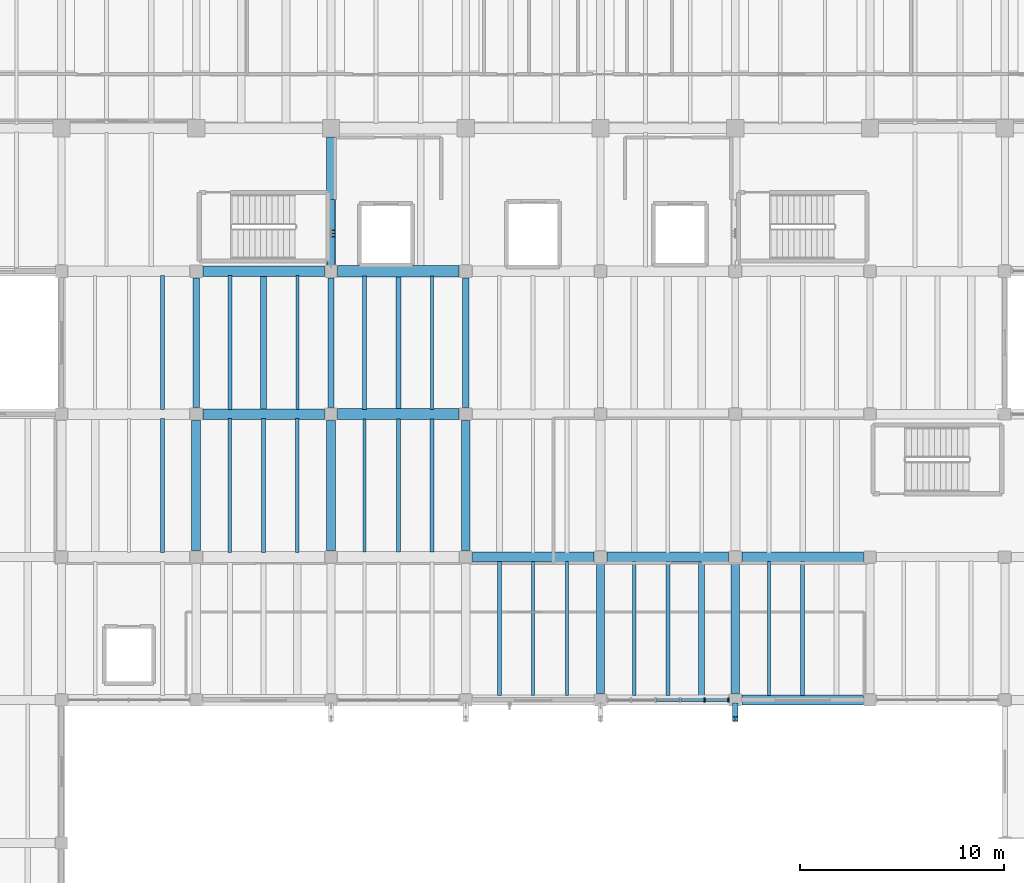
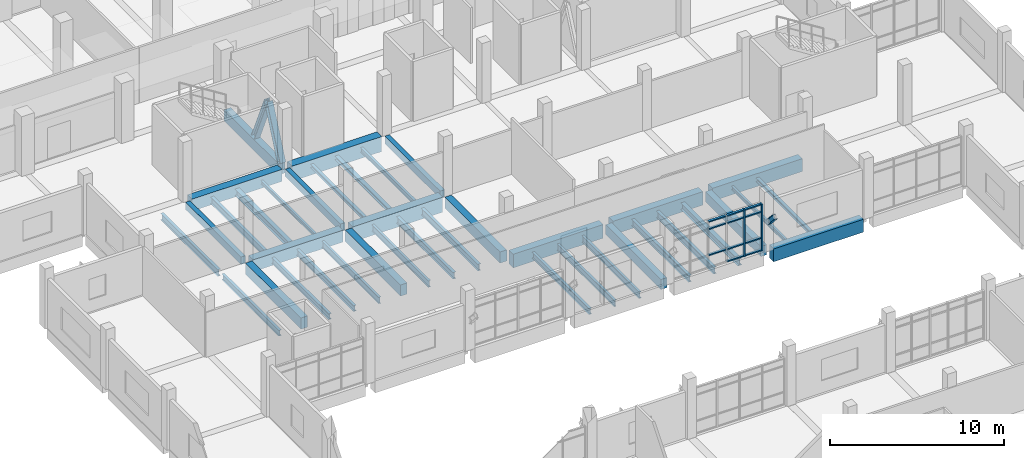
# One storey, part 25 of 68: 39 beams, 16 members, 1 element without a shape of its own.
"""IFC4 building model written with IfcOpenShell, lengths in metres."""

from ifc_helpers import new_model, si_unit, direction, frame, origin, origin_2d, place, context, subcontext, project, spatial, rectangle, i_section, extrude, material, material_profile, profile_set, type_object, element, aggregate, save


model = new_model("IFC4")

# Units and contexts
model_context = context("Model", 3, precision=1e-05, world=origin(), true_north=direction((0.0, 1.0)))
body_context = subcontext(model_context, "Body", "Model", "MODEL_VIEW")
ifc_project = project(units=[si_unit("LENGTHUNIT", "METRE"), si_unit("AREAUNIT", "SQUARE_METRE"), si_unit("VOLUMEUNIT", "CUBIC_METRE"), si_unit("PLANEANGLEUNIT", "RADIAN"), si_unit("MASSUNIT", "GRAM", prefix="KILO")], contexts=[model_context])

# Site, building, storey
site_placement = place(None, origin())
site = spatial("IfcSite", under=ifc_project, at=site_placement, CompositionType="ELEMENT")
building_placement = place(site_placement, origin())
building = spatial("IfcBuilding", under=site, at=building_placement, Name="Ciguamira Faculty of Natural Sciences", CompositionType="ELEMENT")
storey_placement = place(building_placement, frame((0.0, 0.0, 4.199951171875)))
storey = spatial("IfcBuildingStorey", under=building, at=storey_placement, Name="L01", CompositionType="ELEMENT", Elevation=4.199951171875)

# Curtain wall, members
ifc_material_1 = material(Name="Anodized aluminium curtain wall", Category="aluminium")
curtain_wall_type = type_object("IfcCurtainWallType", Name="CurtainWall_CW-06", PredefinedType="USERDEFINED", material=ifc_material_1)
curtain_wall_placement = place(storey_placement, origin())
curtain_wall = element("IfcCurtainWall", 1, at=curtain_wall_placement, inside=storey, type_object=curtain_wall_type, Name="L01 unitised curtain wall 0042", ObjectType="UNITISED CURTAIN WALL", PredefinedType="USERDEFINED")
ifc_material_2 = material(Name="Anodized aluminium mullion", Category="aluminium")
ifc_material_profile_1 = material_profile(ifc_material_2, rectangle(XDim=0.080078125, YDim=0.219970703125, at=origin_2d()), Name="ALU-MUL-80X220")
ifc_profile_set_1 = profile_set([ifc_material_profile_1], Name="Anodized aluminium mullion")
member_type_1 = type_object("IfcMemberType", Name="CWMullion_CWM-03", PredefinedType="MULLION", material=ifc_profile_set_1)
member_1_placement = place(storey_placement, frame((95.39990234375, 73.0, 0.0), z_axis=(0.0, 0.0, 1.0), x_axis=(1.0, 0.0, 0.0)))
member_1 = element("IfcMember", 2, at=member_1_placement, type_object=member_type_1, Name="CW-06 mullion 5", PredefinedType="MULLION", context=body_context, shape_type="SweptSolid", body=[
    extrude(rectangle(XDim=0.080078125, YDim=0.219970703125, at=origin_2d()), origin(), (0.0, 0.0, 1.0), 3.28515625),
])
member_2_placement = place(storey_placement, frame((96.56005859375, 73.0, 0.0), z_axis=(0.0, 0.0, 1.0), x_axis=(1.0, 0.0, 0.0)))
member_2 = element("IfcMember", 3, at=member_2_placement, type_object=member_type_1, Name="CW-06 mullion 6", PredefinedType="MULLION", context=body_context, shape_type="SweptSolid", body=[
    extrude(rectangle(XDim=0.080078125, YDim=0.219970703125, at=origin_2d()), origin(), (0.0, 0.0, 1.0), 3.28515625),
])
ifc_material_3 = material(Name="Anodized aluminium transom", Category="aluminium")
ifc_material_profile_2 = material_profile(ifc_material_3, rectangle(XDim=0.080078125, YDim=0.159912109375, at=origin_2d()), Name="ALU-TRN-80X160")
ifc_profile_set_2 = profile_set([ifc_material_profile_2], Name="Anodized aluminium transom")
member_type_2 = type_object("IfcMemberType", Name="CWTransom_CWT-03", PredefinedType="USERDEFINED", material=ifc_profile_set_2)
member_3_placement = place(storey_placement, frame((93.0400390625, 73.0, 0.900146484375), z_axis=(1.0, 0.0, 0.0), x_axis=(0.0, 0.0, 1.0)))
member_3 = element("IfcMember", 4, at=member_3_placement, type_object=member_type_2, Name="CW-06 transom 3.2", ObjectType="TRANSOM", PredefinedType="USERDEFINED", context=body_context, shape_type="SweptSolid", body=[
    extrude(rectangle(XDim=0.080078125, YDim=0.159912109375, at=origin_2d()), origin(), (0.0, 0.0, 1.0), 1.119873046875),
])
member_4_placement = place(storey_placement, frame((93.0400390625, 73.0, 2.735107421875), z_axis=(1.0, 0.0, 0.0), x_axis=(0.0, 0.0, 1.0)))
member_4 = element("IfcMember", 5, at=member_4_placement, type_object=member_type_2, Name="CW-06 transom 3.3", ObjectType="TRANSOM", PredefinedType="USERDEFINED", context=body_context, shape_type="SweptSolid", body=[
    extrude(rectangle(XDim=0.080078125, YDim=0.159912109375, at=origin_2d()), origin(), (0.0, 0.0, 1.0), 1.119873046875),
])
member_5_placement = place(storey_placement, frame((93.0400390625, 73.0, 3.2451171875), z_axis=(1.0, 0.0, 0.0), x_axis=(0.0, 0.0, 1.0)))
member_5 = element("IfcMember", 6, at=member_5_placement, type_object=member_type_2, Name="CW-06 transom 3.4", ObjectType="TRANSOM", PredefinedType="USERDEFINED", context=body_context, shape_type="SweptSolid", body=[
    extrude(rectangle(XDim=0.080078125, YDim=0.159912109375, at=origin_2d()), origin(), (0.0, 0.0, 1.0), 1.119873046875),
])
member_6_placement = place(storey_placement, frame((94.239990234375, 73.0, 0.0400390625), z_axis=(1.0, 0.0, 0.0), x_axis=(0.0, 0.0, 1.0)))
member_6 = element("IfcMember", 7, at=member_6_placement, type_object=member_type_2, Name="CW-06 transom 4.1", ObjectType="TRANSOM", PredefinedType="USERDEFINED", context=body_context, shape_type="SweptSolid", body=[
    extrude(rectangle(XDim=0.080078125, YDim=0.159912109375, at=origin_2d()), origin(), (0.0, 0.0, 1.0), 1.1201171875),
])
member_7_placement = place(storey_placement, frame((94.239990234375, 73.0, 0.900146484375), z_axis=(1.0, 0.0, 0.0), x_axis=(0.0, 0.0, 1.0)))
member_7 = element("IfcMember", 8, at=member_7_placement, type_object=member_type_2, Name="CW-06 transom 4.2", ObjectType="TRANSOM", PredefinedType="USERDEFINED", context=body_context, shape_type="SweptSolid", body=[
    extrude(rectangle(XDim=0.080078125, YDim=0.159912109375, at=origin_2d()), origin(), (0.0, 0.0, 1.0), 1.1201171875),
])
member_8_placement = place(storey_placement, frame((94.239990234375, 73.0, 2.735107421875), z_axis=(1.0, 0.0, 0.0), x_axis=(0.0, 0.0, 1.0)))
member_8 = element("IfcMember", 9, at=member_8_placement, type_object=member_type_2, Name="CW-06 transom 4.3", ObjectType="TRANSOM", PredefinedType="USERDEFINED", context=body_context, shape_type="SweptSolid", body=[
    extrude(rectangle(XDim=0.080078125, YDim=0.159912109375, at=origin_2d()), origin(), (0.0, 0.0, 1.0), 1.1201171875),
])
member_9_placement = place(storey_placement, frame((94.239990234375, 73.0, 3.2451171875), z_axis=(1.0, 0.0, 0.0), x_axis=(0.0, 0.0, 1.0)))
member_9 = element("IfcMember", 10, at=member_9_placement, type_object=member_type_2, Name="CW-06 transom 4.4", ObjectType="TRANSOM", PredefinedType="USERDEFINED", context=body_context, shape_type="SweptSolid", body=[
    extrude(rectangle(XDim=0.080078125, YDim=0.159912109375, at=origin_2d()), origin(), (0.0, 0.0, 1.0), 1.1201171875),
])
member_10_placement = place(storey_placement, frame((95.43994140625, 73.0, 0.0400390625), z_axis=(1.0, 0.0, 0.0), x_axis=(0.0, 0.0, 1.0)))
member_10 = element("IfcMember", 11, at=member_10_placement, type_object=member_type_2, Name="CW-06 transom 5.1", ObjectType="TRANSOM", PredefinedType="USERDEFINED", context=body_context, shape_type="SweptSolid", body=[
    extrude(rectangle(XDim=0.080078125, YDim=0.159912109375, at=origin_2d()), origin(), (0.0, 0.0, 1.0), 1.080078125),
])
member_11_placement = place(storey_placement, frame((95.43994140625, 73.0, 0.900146484375), z_axis=(1.0, 0.0, 0.0), x_axis=(0.0, 0.0, 1.0)))
member_11 = element("IfcMember", 12, at=member_11_placement, type_object=member_type_2, Name="CW-06 transom 5.2", ObjectType="TRANSOM", PredefinedType="USERDEFINED", context=body_context, shape_type="SweptSolid", body=[
    extrude(rectangle(XDim=0.080078125, YDim=0.159912109375, at=origin_2d()), origin(), (0.0, 0.0, 1.0), 1.080078125),
])
member_12_placement = place(storey_placement, frame((95.43994140625, 73.0, 2.735107421875), z_axis=(1.0, 0.0, 0.0), x_axis=(0.0, 0.0, 1.0)))
member_12 = element("IfcMember", 13, at=member_12_placement, type_object=member_type_2, Name="CW-06 transom 5.3", ObjectType="TRANSOM", PredefinedType="USERDEFINED", context=body_context, shape_type="SweptSolid", body=[
    extrude(rectangle(XDim=0.080078125, YDim=0.159912109375, at=origin_2d()), origin(), (0.0, 0.0, 1.0), 1.080078125),
])
member_13_placement = place(storey_placement, frame((95.43994140625, 73.0, 3.2451171875), z_axis=(1.0, 0.0, 0.0), x_axis=(0.0, 0.0, 1.0)))
member_13 = element("IfcMember", 14, at=member_13_placement, type_object=member_type_2, Name="CW-06 transom 5.4", ObjectType="TRANSOM", PredefinedType="USERDEFINED", context=body_context, shape_type="SweptSolid", body=[
    extrude(rectangle(XDim=0.080078125, YDim=0.159912109375, at=origin_2d()), origin(), (0.0, 0.0, 1.0), 1.080078125),
])
aggregate(curtain_wall, [member_1, member_2, member_3, member_4, member_5, member_6, member_7, member_8, member_9, member_10, member_11, member_12, member_13])

# Beams
ifc_material_4 = material(Name="Concrete C40/50", Category="concrete")
ifc_material_profile_3 = material_profile(ifc_material_4, rectangle(XDim=0.550048828125, YDim=1.050048828125, at=origin_2d()), Name="RC-BM-550X1050")
ifc_profile_set_3 = profile_set([ifc_material_profile_3], Name="Concrete C40/50")
beam_type_1 = type_object("IfcBeamType", Name="RCBeam_BG-01_RC-BM-550X1050", PredefinedType="BEAM", material=ifc_profile_set_3)
for number, where, z_axis, x_axis, name in (
    (15, (77.425048828125, 87.0, -0.52490234375), (1.0, 0.0, 0.0), (0.0, 1.0, 0.0), "L01 RC girder EW-0507"),
    (16, (77.425048828125, 94.0, -0.52490234375), (1.0, 0.0, 0.0), (0.0, 1.0, 0.0), "L01 RC girder EW-0516"),
):
    element("IfcBeam", number, at=place(storey_placement, frame(where, z_axis=z_axis, x_axis=x_axis)), inside=storey, type_object=beam_type_1, Name=name, PredefinedType="BEAM", context=body_context, shape_type="SweptSolid", body=[
        extrude(rectangle(XDim=0.550048828125, YDim=1.050048828125, at=origin_2d()), origin(), (0.0, 0.0, 1.0), 5.949951171875),
    ])
ifc_material_profile_4 = material_profile(ifc_material_4, rectangle(XDim=0.5, YDim=0.949951171875, at=origin_2d()), Name="RC-BM-500X950")
ifc_profile_set_4 = profile_set([ifc_material_profile_4], Name="Concrete C40/50")
beam_type_2 = type_object("IfcBeamType", Name="RCBeam_BG-02_RC-BM-500X950", PredefinedType="BEAM", material=ifc_profile_set_4)
beam_1_placement = place(storey_placement, frame((84.02490234375, 80.0, -0.474853515625), z_axis=(1.0, 0.0, 0.0), x_axis=(0.0, 1.0, 0.0)))
element("IfcBeam", 17, at=beam_1_placement, inside=storey, type_object=beam_type_2, Name="L01 RC girder EW-0499", PredefinedType="BEAM", context=body_context, shape_type="SweptSolid", body=[
    extrude(rectangle(XDim=0.5, YDim=0.949951171875, at=origin_2d()), origin(), (0.0, 0.0, 1.0), 5.9501953125),
])
beam_2_placement = place(storey_placement, frame((90.625, 80.0, -0.474853515625), z_axis=(1.0, 0.0, 0.0), x_axis=(0.0, 1.0, 0.0)))
element("IfcBeam", 18, at=beam_2_placement, inside=storey, type_object=beam_type_2, Name="L01 RC girder EW-0500", PredefinedType="BEAM", context=body_context, shape_type="SweptSolid", body=[
    extrude(rectangle(XDim=0.5, YDim=0.949951171875, at=origin_2d()), origin(), (0.0, 0.0, 1.0), 5.949951171875),
])
ifc_material_profile_5 = material_profile(ifc_material_4, rectangle(XDim=0.5, YDim=0.89990234375, at=origin_2d()), Name="RC-BM-500X900")
ifc_profile_set_5 = profile_set([ifc_material_profile_5], Name="Concrete C40/50")
beam_type_3 = type_object("IfcBeamType", Name="RCBeam_BG-03_RC-BM-500X900", PredefinedType="BEAM", material=ifc_profile_set_5)
for number, where, z_axis, x_axis, name in (
    (19, (97.22509765625, 73.0, -0.449951171875), (1.0, 0.0, 0.0), (0.0, 1.0, 0.0), "L01 RC girder EW-0492"),
    (20, (97.22509765625, 80.0, -0.449951171875), (1.0, 0.0, 0.0), (0.0, 1.0, 0.0), "L01 RC girder EW-0501"),
):
    element("IfcBeam", number, at=place(storey_placement, frame(where, z_axis=z_axis, x_axis=x_axis)), inside=storey, type_object=beam_type_3, Name=name, PredefinedType="BEAM", context=body_context, shape_type="SweptSolid", body=[
        extrude(rectangle(XDim=0.5, YDim=0.89990234375, at=origin_2d()), origin(), (0.0, 0.0, 1.0), 5.949951171875),
    ])
ifc_material_profile_6 = material_profile(ifc_material_4, rectangle(XDim=0.43994140625, YDim=0.780029296875, at=origin_2d()), Name="RC-BM-440X780")
ifc_profile_set_6 = profile_set([ifc_material_profile_6], Name="Concrete C40/50")
beam_type_4 = type_object("IfcBeamType", Name="RCBeam_BG-06_RC-BM-440X780", PredefinedType="BEAM", material=ifc_profile_set_6)
for number, where, z_axis, x_axis, name in (
    (21, (70.5, 80.324951171875, -0.389892578125), (0.0, 1.0, 0.0), (-1.0, 0.0, 0.0), "L01 girder NS-0603"),
    (22, (77.10009765625, 80.324951171875, -0.389892578125), (0.0, 1.0, 0.0), (-1.0, 0.0, 0.0), "L01 girder NS-0614"),
    (23, (83.699951171875, 80.324951171875, -0.389892578125), (0.0, 1.0, 0.0), (-1.0, 0.0, 0.0), "L01 girder NS-0625"),
):
    element("IfcBeam", number, at=place(storey_placement, frame(where, z_axis=z_axis, x_axis=x_axis)), inside=storey, type_object=beam_type_4, Name=name, PredefinedType="BEAM", context=body_context, shape_type="SweptSolid", body=[
        extrude(rectangle(XDim=0.43994140625, YDim=0.780029296875, at=origin_2d()), origin(), (0.0, 0.0, 1.0), 6.35009765625),
    ])
beam_3_placement = place(storey_placement, frame((77.10009765625, 94.324951171875, -0.389892578125), z_axis=(0.0, 1.0, 0.0), x_axis=(-1.0, 0.0, 0.0)))
element("IfcBeam", 24, at=beam_3_placement, inside=storey, type_object=beam_type_4, Name="L01 core-end brace tie girder 77", PredefinedType="BEAM", context=body_context, shape_type="SweptSolid", body=[
    extrude(rectangle(XDim=0.43994140625, YDim=0.780029296875, at=origin_2d()), origin(), (0.0, 0.0, 1.0), 6.25),
])
ifc_material_profile_7 = material_profile(ifc_material_4, rectangle(XDim=0.39990234375, YDim=0.699951171875, at=origin_2d()), Name="RC-BM-400X700")
ifc_profile_set_7 = profile_set([ifc_material_profile_7], Name="Concrete C40/50")
beam_type_5 = type_object("IfcBeamType", Name="RCBeam_BG-08_RC-BM-400X700", PredefinedType="BEAM", material=ifc_profile_set_7)
for number, where, z_axis, x_axis, name in (
    (25, (90.300048828125, 73.324951171875, -0.349853515625), (0.0, 1.0, 0.0), (-1.0, 0.0, 0.0), "L01 girder NS-0636"),
    (26, (96.89990234375, 73.324951171875, -0.349853515625), (0.0, 1.0, 0.0), (-1.0, 0.0, 0.0), "L01 girder NS-0648"),
):
    element("IfcBeam", number, at=place(storey_placement, frame(where, z_axis=z_axis, x_axis=x_axis)), inside=storey, type_object=beam_type_5, Name=name, PredefinedType="BEAM", context=body_context, shape_type="SweptSolid", body=[
        extrude(rectangle(XDim=0.39990234375, YDim=0.699951171875, at=origin_2d()), origin(), (0.0, 0.0, 1.0), 6.35009765625),
    ])
ifc_material_profile_8 = material_profile(ifc_material_4, rectangle(XDim=0.300048828125, YDim=0.52001953125, at=origin_2d()), Name="RC-BM-300X520")
ifc_profile_set_8 = profile_set([ifc_material_profile_8], Name="Concrete C40/50")
beam_type_6 = type_object("IfcBeamType", Name="RCBeam_BG-13_RC-BM-300X520", PredefinedType="BEAM", material=ifc_profile_set_8)
for number, where, z_axis, x_axis, name in (
    (27, (70.5, 87.324951171875, -0.260009765625), (0.0, 1.0, 0.0), (-1.0, 0.0, 0.0), "L01 girder NS-0604"),
    (28, (77.10009765625, 87.324951171875, -0.260009765625), (0.0, 1.0, 0.0), (-1.0, 0.0, 0.0), "L01 girder NS-0615"),
    (29, (83.699951171875, 87.324951171875, -0.260009765625), (0.0, 1.0, 0.0), (-1.0, 0.0, 0.0), "L01 girder NS-0626"),
):
    element("IfcBeam", number, at=place(storey_placement, frame(where, z_axis=z_axis, x_axis=x_axis)), inside=storey, type_object=beam_type_6, Name=name, PredefinedType="BEAM", context=body_context, shape_type="SweptSolid", body=[
        extrude(rectangle(XDim=0.300048828125, YDim=0.52001953125, at=origin_2d()), origin(), (0.0, 0.0, 1.0), 6.35009765625),
    ])
ifc_material_profile_9 = material_profile(ifc_material_4, rectangle(XDim=0.52001953125, YDim=0.840087890625, at=origin_2d()), Name="RC-TB-520X840")
ifc_profile_set_9 = profile_set([ifc_material_profile_9], Name="Concrete C40/50")
beam_type_7 = type_object("IfcBeamType", Name="RCBeam_TB-02_RC-TB-520X840", PredefinedType="T_BEAM", material=ifc_profile_set_9)
for number, where, z_axis, x_axis, name in (
    (30, (70.824951171875, 87.0, -0.419921875), (1.0, 0.0, 0.0), (0.0, 1.0, 0.0), "L01 RC girder EW-0506"),
    (31, (70.824951171875, 94.0, -0.419921875), (1.0, 0.0, 0.0), (0.0, 1.0, 0.0), "L01 RC girder EW-0515"),
):
    element("IfcBeam", number, at=place(storey_placement, frame(where, z_axis=z_axis, x_axis=x_axis)), inside=storey, type_object=beam_type_7, Name=name, PredefinedType="T_BEAM", context=body_context, shape_type="SweptSolid", body=[
        extrude(rectangle(XDim=0.52001953125, YDim=0.840087890625, at=origin_2d()), origin(), (0.0, 0.0, 1.0), 5.949951171875),
    ])
ifc_material_5 = material(Name="Steel ASTM A992 Grade 50", Category="steel")
ifc_material_profile_10 = material_profile(ifc_material_5, i_section(OverallWidth=0.14599609375, OverallDepth=0.259033203125, WebThickness=0.006103515625, FlangeThickness=0.009033203125, at=origin_2d()), Name="W10X22")
ifc_profile_set_10 = profile_set([ifc_material_profile_10], Name="Steel ASTM A992 Grade 50")
beam_type_8 = type_object("IfcBeamType", Name="SteelJoist_SJ-01_W10X22", PredefinedType="JOIST", material=ifc_profile_set_10)
beam_4_placement = place(storey_placement, frame((75.449951171875, 87.219970703125, -0.409423828125), z_axis=(0.0, 1.0, 0.0), x_axis=(-1.0, 0.0, 0.0)))
element("IfcBeam", 32, at=beam_4_placement, inside=storey, type_object=beam_type_8, Name="L01 composite steel joist 00463", PredefinedType="JOIST", context=body_context, shape_type="SweptSolid", body=[
    extrude(i_section(OverallWidth=0.14599609375, OverallDepth=0.259033203125, WebThickness=0.006103515625, FlangeThickness=0.009033203125, at=origin_2d()), origin(), (0.0, 0.0, 1.0), 6.56005859375),
])
beam_5_placement = place(storey_placement, frame((98.550048828125, 73.2099609375, -0.409423828125), z_axis=(0.0, 1.0, 0.0), x_axis=(-1.0, 0.0, 0.0)))
element("IfcBeam", 33, at=beam_5_placement, inside=storey, type_object=beam_type_8, Name="L01 composite steel joist 00557", PredefinedType="JOIST", context=body_context, shape_type="SweptSolid", body=[
    extrude(i_section(OverallWidth=0.14599609375, OverallDepth=0.259033203125, WebThickness=0.006103515625, FlangeThickness=0.009033203125, at=origin_2d()), origin(), (0.0, 0.0, 1.0), 6.580078125),
])
ifc_material_profile_11 = material_profile(ifc_material_5, i_section(OverallWidth=0.2021484375, OverallDepth=0.2470703125, WebThickness=0.00732421875, FlangeThickness=0.010986328125, at=origin_2d()), Name="W10X33")
ifc_profile_set_11 = profile_set([ifc_material_profile_11], Name="Steel ASTM A992 Grade 50")
beam_type_9 = type_object("IfcBeamType", Name="SteelJoist_SJ-02_W10X33", PredefinedType="JOIST", material=ifc_profile_set_11)
beam_6_placement = place(storey_placement, frame((78.75, 87.235107421875, -0.403564453125), z_axis=(0.0, 1.0, 0.0), x_axis=(-1.0, 0.0, 0.0)))
element("IfcBeam", 34, at=beam_6_placement, inside=storey, type_object=beam_type_9, Name="L01 composite steel joist 00486", PredefinedType="JOIST", context=body_context, shape_type="SweptSolid", body=[
    extrude(i_section(OverallWidth=0.2021484375, OverallDepth=0.2470703125, WebThickness=0.00732421875, FlangeThickness=0.010986328125, at=origin_2d()), origin(), (0.0, 0.0, 1.0), 6.52978515625),
])
beam_7_placement = place(storey_placement, frame((100.199951171875, 73.2099609375, -0.403564453125), z_axis=(0.0, 1.0, 0.0), x_axis=(-1.0, 0.0, 0.0)))
element("IfcBeam", 35, at=beam_7_placement, inside=storey, type_object=beam_type_9, Name="L01 composite steel joist 00558", PredefinedType="JOIST", context=body_context, shape_type="SweptSolid", body=[
    extrude(i_section(OverallWidth=0.2021484375, OverallDepth=0.2470703125, WebThickness=0.00732421875, FlangeThickness=0.010986328125, at=origin_2d()), origin(), (0.0, 0.0, 1.0), 6.580078125),
])
ifc_material_profile_12 = material_profile(ifc_material_5, i_section(OverallWidth=0.25390625, OverallDepth=0.25390625, WebThickness=0.008544921875, FlangeThickness=0.01416015625, at=origin_2d()), Name="W10X49")
ifc_profile_set_12 = profile_set([ifc_material_profile_12], Name="Steel ASTM A992 Grade 50")
beam_type_10 = type_object("IfcBeamType", Name="SteelJoist_SJ-03_W10X49", PredefinedType="JOIST", material=ifc_profile_set_12)
beam_8_placement = place(storey_placement, frame((80.39990234375, 87.235107421875, -0.406982421875), z_axis=(0.0, 1.0, 0.0), x_axis=(-1.0, 0.0, 0.0)))
element("IfcBeam", 36, at=beam_8_placement, inside=storey, type_object=beam_type_10, Name="L01 composite steel joist 00487", PredefinedType="JOIST", context=body_context, shape_type="SweptSolid", body=[
    extrude(i_section(OverallWidth=0.25390625, OverallDepth=0.25390625, WebThickness=0.008544921875, FlangeThickness=0.01416015625, at=origin_2d()), origin(), (0.0, 0.0, 1.0), 6.52978515625),
])
ifc_material_profile_13 = material_profile(ifc_material_5, i_section(OverallWidth=0.164794921875, OverallDepth=0.309814453125, WebThickness=0.005859375, FlangeThickness=0.009765625, at=origin_2d()), Name="W12X26")
ifc_profile_set_13 = profile_set([ifc_material_profile_13], Name="Steel ASTM A992 Grade 50")
beam_type_11 = type_object("IfcBeamType", Name="SteelJoist_SJ-04_W12X26", PredefinedType="JOIST", material=ifc_profile_set_13)
beam_9_placement = place(storey_placement, frame((82.050048828125, 87.235107421875, -0.434814453125), z_axis=(0.0, 1.0, 0.0), x_axis=(-1.0, 0.0, 0.0)))
element("IfcBeam", 37, at=beam_9_placement, inside=storey, type_object=beam_type_11, Name="L01 composite steel joist 00488", PredefinedType="JOIST", context=body_context, shape_type="SweptSolid", body=[
    extrude(i_section(OverallWidth=0.164794921875, OverallDepth=0.309814453125, WebThickness=0.005859375, FlangeThickness=0.009765625, at=origin_2d()), origin(), (0.0, 0.0, 1.0), 6.52978515625),
])
ifc_material_profile_14 = material_profile(ifc_material_5, i_section(OverallWidth=0.177490234375, OverallDepth=0.40380859375, WebThickness=0.007568359375, FlangeThickness=0.010986328125, at=origin_2d()), Name="W16X36")
ifc_profile_set_14 = profile_set([ifc_material_profile_14], Name="Steel ASTM A992 Grade 50")
beam_type_12 = type_object("IfcBeamType", Name="SteelJoist_SJ-18_W16X36", PredefinedType="JOIST", material=ifc_profile_set_14)
beam_10_placement = place(storey_placement, frame((68.85009765625, 80.219970703125, -0.48193359375), z_axis=(0.0, 1.0, 0.0), x_axis=(-1.0, 0.0, 0.0)))
element("IfcBeam", 38, at=beam_10_placement, inside=storey, type_object=beam_type_12, Name="L01 composite steel joist 00433", PredefinedType="JOIST", context=body_context, shape_type="SweptSolid", body=[
    extrude(i_section(OverallWidth=0.177490234375, OverallDepth=0.40380859375, WebThickness=0.007568359375, FlangeThickness=0.010986328125, at=origin_2d()), origin(), (0.0, 0.0, 1.0), 6.56005859375),
])
ifc_material_profile_15 = material_profile(ifc_material_5, i_section(OverallWidth=0.1787109375, OverallDepth=0.408935546875, WebThickness=0.0087890625, FlangeThickness=0.014404296875, at=origin_2d()), Name="W16X45")
ifc_profile_set_15 = profile_set([ifc_material_profile_15], Name="Steel ASTM A992 Grade 50")
beam_type_13 = type_object("IfcBeamType", Name="SteelJoist_SJ-19_W16X45", PredefinedType="JOIST", material=ifc_profile_set_15)
beam_11_placement = place(storey_placement, frame((72.14990234375, 80.219970703125, -0.484375), z_axis=(0.0, 1.0, 0.0), x_axis=(-1.0, 0.0, 0.0)))
element("IfcBeam", 39, at=beam_11_placement, inside=storey, type_object=beam_type_13, Name="L01 composite steel joist 00458", PredefinedType="JOIST", context=body_context, shape_type="SweptSolid", body=[
    extrude(i_section(OverallWidth=0.1787109375, OverallDepth=0.408935546875, WebThickness=0.0087890625, FlangeThickness=0.014404296875, at=origin_2d()), origin(), (0.0, 0.0, 1.0), 6.56005859375),
])
ifc_material_profile_16 = material_profile(ifc_material_5, i_section(OverallWidth=0.180908203125, OverallDepth=0.41650390625, WebThickness=0.010986328125, FlangeThickness=0.01806640625, at=origin_2d()), Name="W16X57")
ifc_profile_set_16 = profile_set([ifc_material_profile_16], Name="Steel ASTM A992 Grade 50")
beam_type_14 = type_object("IfcBeamType", Name="SteelJoist_SJ-20_W16X57", PredefinedType="JOIST", material=ifc_profile_set_16)
beam_12_placement = place(storey_placement, frame((73.800048828125, 80.219970703125, -0.48828125), z_axis=(0.0, 1.0, 0.0), x_axis=(-1.0, 0.0, 0.0)))
element("IfcBeam", 40, at=beam_12_placement, inside=storey, type_object=beam_type_14, Name="L01 composite steel joist 00459", PredefinedType="JOIST", context=body_context, shape_type="SweptSolid", body=[
    extrude(i_section(OverallWidth=0.180908203125, OverallDepth=0.41650390625, WebThickness=0.010986328125, FlangeThickness=0.01806640625, at=origin_2d()), origin(), (0.0, 0.0, 1.0), 6.56005859375),
])
beam_13_placement = place(storey_placement, frame((85.35009765625, 73.2099609375, -0.48828125), z_axis=(0.0, 1.0, 0.0), x_axis=(-1.0, 0.0, 0.0)))
element("IfcBeam", 41, at=beam_13_placement, inside=storey, type_object=beam_type_14, Name="L01 composite steel joist 00506", PredefinedType="JOIST", context=body_context, shape_type="SweptSolid", body=[
    extrude(i_section(OverallWidth=0.180908203125, OverallDepth=0.41650390625, WebThickness=0.010986328125, FlangeThickness=0.01806640625, at=origin_2d()), origin(), (0.0, 0.0, 1.0), 6.580078125),
])
ifc_material_profile_17 = material_profile(ifc_material_5, i_section(OverallWidth=0.15234375, OverallDepth=0.449462890625, WebThickness=0.007568359375, FlangeThickness=0.0107421875, at=origin_2d()), Name="W18X35")
ifc_profile_set_17 = profile_set([ifc_material_profile_17], Name="Steel ASTM A992 Grade 50")
beam_type_15 = type_object("IfcBeamType", Name="SteelJoist_SJ-21_W18X35", PredefinedType="JOIST", material=ifc_profile_set_17)
beam_14_placement = place(storey_placement, frame((75.449951171875, 80.219970703125, -0.504638671875), z_axis=(0.0, 1.0, 0.0), x_axis=(-1.0, 0.0, 0.0)))
element("IfcBeam", 42, at=beam_14_placement, inside=storey, type_object=beam_type_15, Name="L01 composite steel joist 00460", PredefinedType="JOIST", context=body_context, shape_type="SweptSolid", body=[
    extrude(i_section(OverallWidth=0.15234375, OverallDepth=0.449462890625, WebThickness=0.007568359375, FlangeThickness=0.0107421875, at=origin_2d()), origin(), (0.0, 0.0, 1.0), 6.56005859375),
])
beam_15_placement = place(storey_placement, frame((87.0, 73.2099609375, -0.504638671875), z_axis=(0.0, 1.0, 0.0), x_axis=(-1.0, 0.0, 0.0)))
element("IfcBeam", 43, at=beam_15_placement, inside=storey, type_object=beam_type_15, Name="L01 composite steel joist 00507", PredefinedType="JOIST", context=body_context, shape_type="SweptSolid", body=[
    extrude(i_section(OverallWidth=0.15234375, OverallDepth=0.449462890625, WebThickness=0.007568359375, FlangeThickness=0.0107421875, at=origin_2d()), origin(), (0.0, 0.0, 1.0), 6.580078125),
])
ifc_material_profile_18 = material_profile(ifc_material_5, i_section(OverallWidth=0.15283203125, OverallDepth=0.45458984375, WebThickness=0.008056640625, FlangeThickness=0.013427734375, at=origin_2d()), Name="W18X40")
ifc_profile_set_18 = profile_set([ifc_material_profile_18], Name="Steel ASTM A992 Grade 50")
beam_type_16 = type_object("IfcBeamType", Name="SteelJoist_SJ-22_W18X40", PredefinedType="JOIST", material=ifc_profile_set_18)
beam_16_placement = place(storey_placement, frame((78.75, 80.235107421875, -0.50732421875), z_axis=(0.0, 1.0, 0.0), x_axis=(-1.0, 0.0, 0.0)))
element("IfcBeam", 44, at=beam_16_placement, inside=storey, type_object=beam_type_16, Name="L01 composite steel joist 00483", PredefinedType="JOIST", context=body_context, shape_type="SweptSolid", body=[
    extrude(i_section(OverallWidth=0.15283203125, OverallDepth=0.45458984375, WebThickness=0.008056640625, FlangeThickness=0.013427734375, at=origin_2d()), origin(), (0.0, 0.0, 1.0), 6.52978515625),
])
beam_17_placement = place(storey_placement, frame((88.64990234375, 73.2099609375, -0.50732421875), z_axis=(0.0, 1.0, 0.0), x_axis=(-1.0, 0.0, 0.0)))
element("IfcBeam", 45, at=beam_17_placement, inside=storey, type_object=beam_type_16, Name="L01 composite steel joist 00508", PredefinedType="JOIST", context=body_context, shape_type="SweptSolid", body=[
    extrude(i_section(OverallWidth=0.15283203125, OverallDepth=0.45458984375, WebThickness=0.008056640625, FlangeThickness=0.013427734375, at=origin_2d()), origin(), (0.0, 0.0, 1.0), 6.580078125),
])
ifc_material_profile_19 = material_profile(ifc_material_5, i_section(OverallWidth=0.1904296875, OverallDepth=0.457275390625, WebThickness=0.009033203125, FlangeThickness=0.014404296875, at=origin_2d()), Name="W18X50")
ifc_profile_set_19 = profile_set([ifc_material_profile_19], Name="Steel ASTM A992 Grade 50")
beam_type_17 = type_object("IfcBeamType", Name="SteelJoist_SJ-23_W18X50", PredefinedType="JOIST", material=ifc_profile_set_19)
beam_18_placement = place(storey_placement, frame((68.85009765625, 87.219970703125, -0.508544921875), z_axis=(0.0, 1.0, 0.0), x_axis=(-1.0, 0.0, 0.0)))
element("IfcBeam", 46, at=beam_18_placement, inside=storey, type_object=beam_type_17, Name="L01 composite steel joist 00436", PredefinedType="JOIST", context=body_context, shape_type="SweptSolid", body=[
    extrude(i_section(OverallWidth=0.1904296875, OverallDepth=0.457275390625, WebThickness=0.009033203125, FlangeThickness=0.014404296875, at=origin_2d()), origin(), (0.0, 0.0, 1.0), 6.56005859375),
])
beam_19_placement = place(storey_placement, frame((80.39990234375, 80.235107421875, -0.508544921875), z_axis=(0.0, 1.0, 0.0), x_axis=(-1.0, 0.0, 0.0)))
element("IfcBeam", 47, at=beam_19_placement, inside=storey, type_object=beam_type_17, Name="L01 composite steel joist 00484", PredefinedType="JOIST", context=body_context, shape_type="SweptSolid", body=[
    extrude(i_section(OverallWidth=0.1904296875, OverallDepth=0.457275390625, WebThickness=0.009033203125, FlangeThickness=0.014404296875, at=origin_2d()), origin(), (0.0, 0.0, 1.0), 6.52978515625),
])
beam_20_placement = place(storey_placement, frame((91.949951171875, 73.2099609375, -0.508544921875), z_axis=(0.0, 1.0, 0.0), x_axis=(-1.0, 0.0, 0.0)))
element("IfcBeam", 48, at=beam_20_placement, inside=storey, type_object=beam_type_17, Name="L01 composite steel joist 00531", PredefinedType="JOIST", context=body_context, shape_type="SweptSolid", body=[
    extrude(i_section(OverallWidth=0.1904296875, OverallDepth=0.457275390625, WebThickness=0.009033203125, FlangeThickness=0.014404296875, at=origin_2d()), origin(), (0.0, 0.0, 1.0), 6.580078125),
])
ifc_material_profile_20 = material_profile(ifc_material_5, i_section(OverallWidth=0.19287109375, OverallDepth=0.46728515625, WebThickness=0.011474609375, FlangeThickness=0.01904296875, at=origin_2d()), Name="W18X65")
ifc_profile_set_20 = profile_set([ifc_material_profile_20], Name="Steel ASTM A992 Grade 50")
beam_type_18 = type_object("IfcBeamType", Name="SteelJoist_SJ-24_W18X65", PredefinedType="JOIST", material=ifc_profile_set_20)
beam_21_placement = place(storey_placement, frame((72.14990234375, 87.219970703125, -0.513671875), z_axis=(0.0, 1.0, 0.0), x_axis=(-1.0, 0.0, 0.0)))
element("IfcBeam", 49, at=beam_21_placement, inside=storey, type_object=beam_type_18, Name="L01 composite steel joist 00461", PredefinedType="JOIST", context=body_context, shape_type="SweptSolid", body=[
    extrude(i_section(OverallWidth=0.19287109375, OverallDepth=0.46728515625, WebThickness=0.011474609375, FlangeThickness=0.01904296875, at=origin_2d()), origin(), (0.0, 0.0, 1.0), 6.56005859375),
])
beam_22_placement = place(storey_placement, frame((82.050048828125, 80.235107421875, -0.513671875), z_axis=(0.0, 1.0, 0.0), x_axis=(-1.0, 0.0, 0.0)))
element("IfcBeam", 50, at=beam_22_placement, inside=storey, type_object=beam_type_18, Name="L01 composite steel joist 00485", PredefinedType="JOIST", context=body_context, shape_type="SweptSolid", body=[
    extrude(i_section(OverallWidth=0.19287109375, OverallDepth=0.46728515625, WebThickness=0.011474609375, FlangeThickness=0.01904296875, at=origin_2d()), origin(), (0.0, 0.0, 1.0), 6.52978515625),
])
beam_23_placement = place(storey_placement, frame((93.60009765625, 73.2099609375, -0.513671875), z_axis=(0.0, 1.0, 0.0), x_axis=(-1.0, 0.0, 0.0)))
element("IfcBeam", 51, at=beam_23_placement, inside=storey, type_object=beam_type_18, Name="L01 composite steel joist 00532", PredefinedType="JOIST", context=body_context, shape_type="SweptSolid", body=[
    extrude(i_section(OverallWidth=0.19287109375, OverallDepth=0.46728515625, WebThickness=0.011474609375, FlangeThickness=0.01904296875, at=origin_2d()), origin(), (0.0, 0.0, 1.0), 6.580078125),
])
ifc_material_profile_21 = material_profile(ifc_material_5, i_section(OverallWidth=0.279296875, OverallDepth=0.462158203125, WebThickness=0.0107421875, FlangeThickness=0.017333984375, at=origin_2d()), Name="W18X76")
ifc_profile_set_21 = profile_set([ifc_material_profile_21], Name="Steel ASTM A992 Grade 50")
beam_type_19 = type_object("IfcBeamType", Name="SteelJoist_SJ-25_W18X76", PredefinedType="JOIST", material=ifc_profile_set_21)
beam_24_placement = place(storey_placement, frame((73.800048828125, 87.219970703125, -0.510986328125), z_axis=(0.0, 1.0, 0.0), x_axis=(-1.0, 0.0, 0.0)))
element("IfcBeam", 52, at=beam_24_placement, inside=storey, type_object=beam_type_19, Name="L01 composite steel joist 00462", PredefinedType="JOIST", context=body_context, shape_type="SweptSolid", body=[
    extrude(i_section(OverallWidth=0.279296875, OverallDepth=0.462158203125, WebThickness=0.0107421875, FlangeThickness=0.017333984375, at=origin_2d()), origin(), (0.0, 0.0, 1.0), 6.56005859375),
])
beam_25_placement = place(storey_placement, frame((95.25, 73.2099609375, -0.510986328125), z_axis=(0.0, 1.0, 0.0), x_axis=(-1.0, 0.0, 0.0)))
element("IfcBeam", 53, at=beam_25_placement, inside=storey, type_object=beam_type_19, Name="L01 composite steel joist 00533", PredefinedType="JOIST", context=body_context, shape_type="SweptSolid", body=[
    extrude(i_section(OverallWidth=0.279296875, OverallDepth=0.462158203125, WebThickness=0.0107421875, FlangeThickness=0.017333984375, at=origin_2d()), origin(), (0.0, 0.0, 1.0), 6.580078125),
])

# Members
ifc_material_profile_22 = material_profile(ifc_material_5, i_section(OverallWidth=0.373291015625, OverallDepth=0.373291015625, WebThickness=0.016357421875, FlangeThickness=0.026123046875, at=origin_2d()), Name="W14X132")
ifc_profile_set_22 = profile_set([ifc_material_profile_22], Name="Steel ASTM A992 Grade 50")
member_type_3 = type_object("IfcMemberType", Name="SteelMember_BR-03_W14X132", PredefinedType="BRACE", material=ifc_profile_set_22)
for number, where, z_axis, x_axis, name in (
    (54, (77.10009765625, 94.35009765625, 0.0), (0.0, 0.401645143601, 0.915795380323), (-1.0, 0.0, 0.0), "L01 lateral chevron brace 009"),
    (55, (77.10009765625, 97.35009765625, 0.0), (0.0, -0.401645143601, 0.915795380323), (1.0, 0.0, 0.0), "L01 lateral chevron brace 010"),
):
    element("IfcMember", number, at=place(storey_placement, frame(where, z_axis=z_axis, x_axis=x_axis)), inside=storey, type_object=member_type_3, Name=name, PredefinedType="BRACE", context=body_context, shape_type="SweptSolid", body=[
        extrude(i_section(OverallWidth=0.373291015625, OverallDepth=0.373291015625, WebThickness=0.016357421875, FlangeThickness=0.026123046875, at=origin_2d()), origin(), (0.0, 0.0, 1.0), 3.734619140625),
    ])
ifc_material_profile_23 = material_profile(ifc_material_5, i_section(OverallWidth=0.25390625, OverallDepth=0.307373046875, WebThickness=0.0087890625, FlangeThickness=0.0146484375, at=origin_2d()), Name="W12X53")
ifc_profile_set_23 = profile_set([ifc_material_profile_23], Name="Steel ASTM A992 Grade 50")
member_type_4 = type_object("IfcMemberType", Name="SteelMember_TS-02_W12X53", PredefinedType="STRUT", material=ifc_profile_set_23)
member_14_placement = place(storey_placement, frame((96.89990234375, 72.72509765625, 2.034423828125), z_axis=(0.0, -0.660716022942, 0.750635955059), x_axis=(1.0, 0.0, 0.0)))
element("IfcMember", 56, at=member_14_placement, inside=storey, type_object=member_type_4, Name="Link bridge BR-2 n corbel knee strut 2", PredefinedType="STRUT", context=body_context, shape_type="SweptSolid", body=[
    extrude(i_section(OverallWidth=0.25390625, OverallDepth=0.307373046875, WebThickness=0.0087890625, FlangeThickness=0.0146484375, at=origin_2d()), origin(), (0.0, 0.0, 1.0), 0.999267578125),
])

save(model, "model.ifc")
